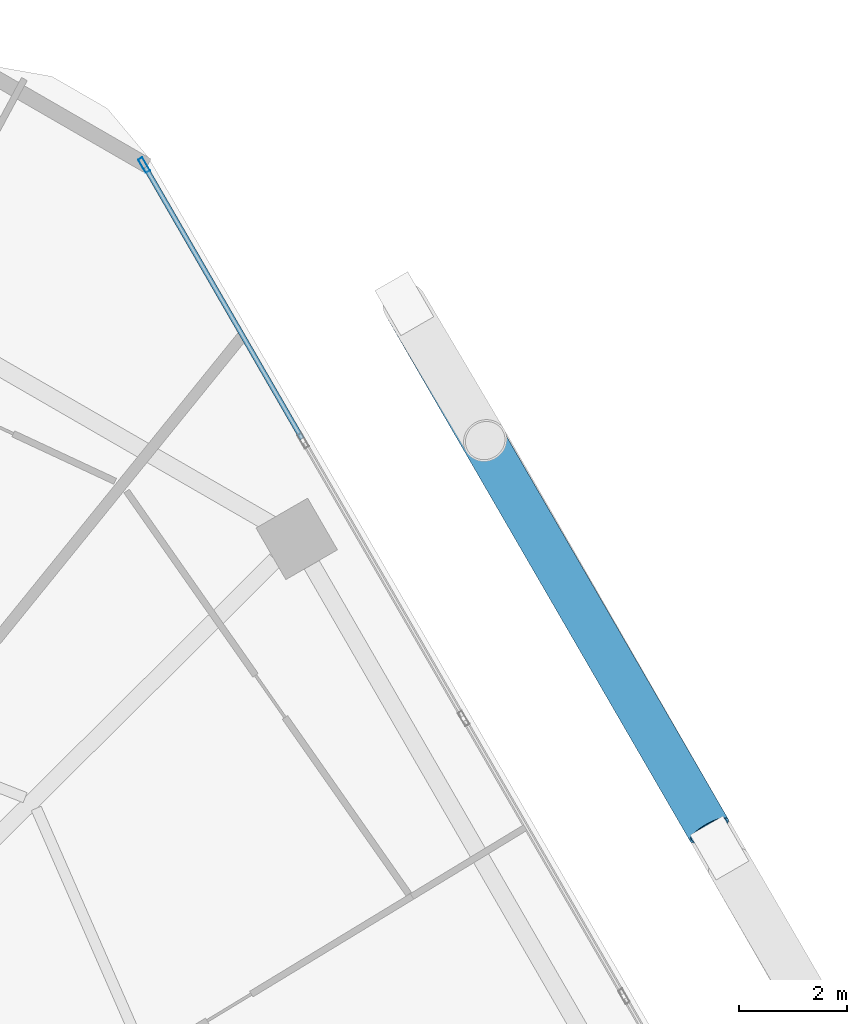
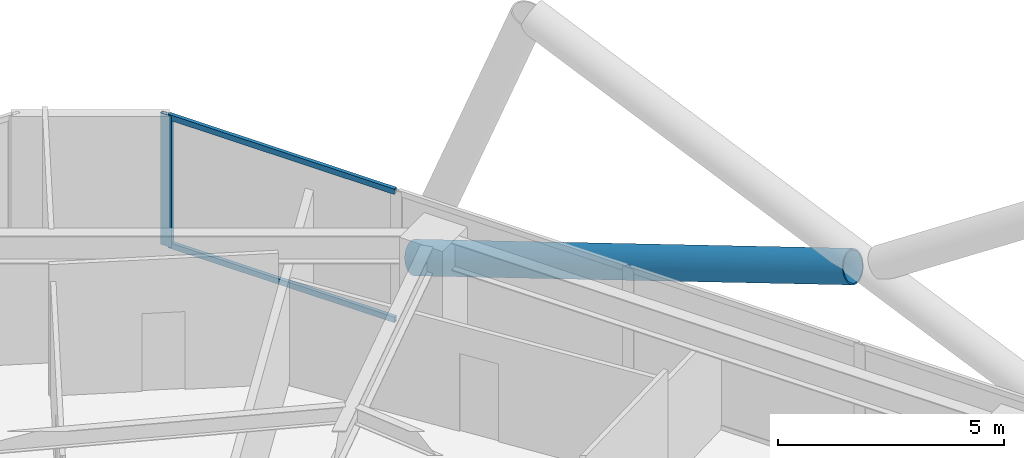
# One storey, part 26 of 36: 4 members, 1 element without a shape of its own.
"""IFC4 building model written with IfcOpenShell, lengths in metres."""

from ifc_helpers import new_model, si_unit, direction, frame, origin, origin_2d, place, context, subcontext, project, spatial, hollow_rectangle, hollow_circle, extrude, material, material_profile, profile_set, type_object, element, aggregate, save


model = new_model("IFC4")

# Units and contexts
model_context = context("Model", 3, precision=1e-05, world=origin(), true_north=direction((0.0, 1.0)))
body_context = subcontext(model_context, "Body", "Model", "MODEL_VIEW")
ifc_project = project(units=[si_unit("LENGTHUNIT", "METRE"), si_unit("AREAUNIT", "SQUARE_METRE"), si_unit("VOLUMEUNIT", "CUBIC_METRE"), si_unit("PLANEANGLEUNIT", "RADIAN"), si_unit("MASSUNIT", "GRAM", prefix="KILO")], contexts=[model_context])

# Site, building, storey
site_placement = place(None, origin())
site = spatial("IfcSite", under=ifc_project, at=site_placement, CompositionType="ELEMENT")
building_placement = place(site_placement, origin())
building = spatial("IfcBuilding", under=site, at=building_placement, Name="Zuhravey Tower", CompositionType="ELEMENT")
storey_placement = place(building_placement, frame((0.0, 0.0, 107.60009765625)))
storey = spatial("IfcBuildingStorey", under=building, at=storey_placement, Name="L26", CompositionType="ELEMENT", Elevation=107.60009765625)

# Curtain wall, members
ifc_material_1 = material(Name="Thermally broken anodised aluminium", Category="aluminium")
curtain_wall_type = type_object("IfcCurtainWallType", Name="Zone 1-2 Residential Curtain Wall CW3", PredefinedType="NOTDEFINED", material=ifc_material_1)
curtain_wall_placement = place(storey_placement, origin())
curtain_wall = element("IfcCurtainWall", 1, at=curtain_wall_placement, inside=storey, type_object=curtain_wall_type, Name="L26 CW3 CW-L26-F1-1", PredefinedType="NOTDEFINED")
ifc_material_2 = material(Name="Anodised aluminium", Category="aluminium")
ifc_material_profile_1 = material_profile(ifc_material_2, hollow_rectangle(XDim=0.090087890625, YDim=0.284912109375, WallThickness=0.0048828125, at=origin_2d()), Name="ALU-RHS-90x285x5")
ifc_profile_set_1 = profile_set([ifc_material_profile_1], Name="Anodised aluminium")
member_type_1 = type_object("IfcMemberType", Name="Curtain-Wall Mullion 90x180", PredefinedType="MULLION", material=ifc_profile_set_1)
member_1_placement = place(storey_placement, frame((53.701416015625, 59.257080078125, 0.0), z_axis=(0.0, 0.0, 1.0), x_axis=(0.86602552265, 0.499999794119, 0.0)))
member_1 = element("IfcMember", 2, at=member_1_placement, type_object=member_type_1, Name="CW3 mullion 1", PredefinedType="MULLION", context=body_context, shape_type="SweptSolid", body=[
    extrude(hollow_rectangle(XDim=0.090087890625, YDim=0.284912109375, WallThickness=0.0048828125, at=origin_2d()), origin(), (0.0, 0.0, 1.0), 3.5498046875),
])
ifc_material_profile_2 = material_profile(ifc_material_2, hollow_rectangle(XDim=0.090087890625, YDim=0.14990234375, WallThickness=0.0048828125, at=origin_2d()), Name="ALU-RHS-90x150x5")
ifc_profile_set_2 = profile_set([ifc_material_profile_2], Name="Anodised aluminium")
member_type_2 = type_object("IfcMemberType", Name="Curtain-Wall Transom 90x150", PredefinedType="USERDEFINED", material=ifc_profile_set_2)
member_2_placement = place(storey_placement, frame((53.72412109375, 59.218017578125, 0.044921875), z_axis=(0.499992798144, -0.866029561738, 0.0), x_axis=(0.866029561738, 0.499992798144, 0.0)))
member_2 = element("IfcMember", 3, at=member_2_placement, type_object=member_type_2, Name="CW3 transom 1.1", ObjectType="TRANSOM", PredefinedType="USERDEFINED", context=body_context, shape_type="SweptSolid", body=[
    extrude(hollow_rectangle(XDim=0.090087890625, YDim=0.14990234375, WallThickness=0.0048828125, at=origin_2d()), origin(), (0.0, 0.0, 1.0), 5.78466796875),
])
member_3_placement = place(storey_placement, frame((53.72412109375, 59.218017578125, 3.5048828125), z_axis=(0.499992798144, -0.866029561738, 0.0), x_axis=(0.866029561738, 0.499992798144, 0.0)))
member_3 = element("IfcMember", 4, at=member_3_placement, type_object=member_type_2, Name="CW3 transom 1.2", ObjectType="TRANSOM", PredefinedType="USERDEFINED", context=body_context, shape_type="SweptSolid", body=[
    extrude(hollow_rectangle(XDim=0.090087890625, YDim=0.14990234375, WallThickness=0.0048828125, at=origin_2d()), origin(), (0.0, 0.0, 1.0), 5.78466796875),
])
aggregate(curtain_wall, [member_1, member_2, member_3])

# Member
ifc_material_3 = material(Name="Steel SM460", Category="steel")
ifc_material_profile_3 = material_profile(ifc_material_3, hollow_circle(Radius=0.406494140625, WallThickness=0.035888671875, at=origin_2d()), Name="CHS-812.8x36")
ifc_profile_set_3 = profile_set([ifc_material_profile_3], Name="Steel SM460")
member_type_3 = type_object("IfcMemberType", Name="Exoskeleton Zone 1 Diagrid CHS813x36", PredefinedType="BRACE", material=ifc_profile_set_3)
member_4_placement = place(storey_placement, frame((58.530517578125, 56.65283203125, -0.447021484375), z_axis=(0.476258779657, -0.822426914311, 0.311113396394), x_axis=(0.865372952922, 0.501128379112, 0.0)))
element("IfcMember", 5, at=member_4_placement, inside=storey, type_object=member_type_3, Name="L26 Face 1 Split Diagrid Brace 3A", PredefinedType="BRACE", context=body_context, shape_type="SweptSolid", body=[
    extrude(hollow_circle(Radius=0.406494140625, WallThickness=0.035888671875, at=origin_2d()), origin(), (0.0, 0.0, 1.0), 11.76318359375),
])

save(model, "model.ifc")
